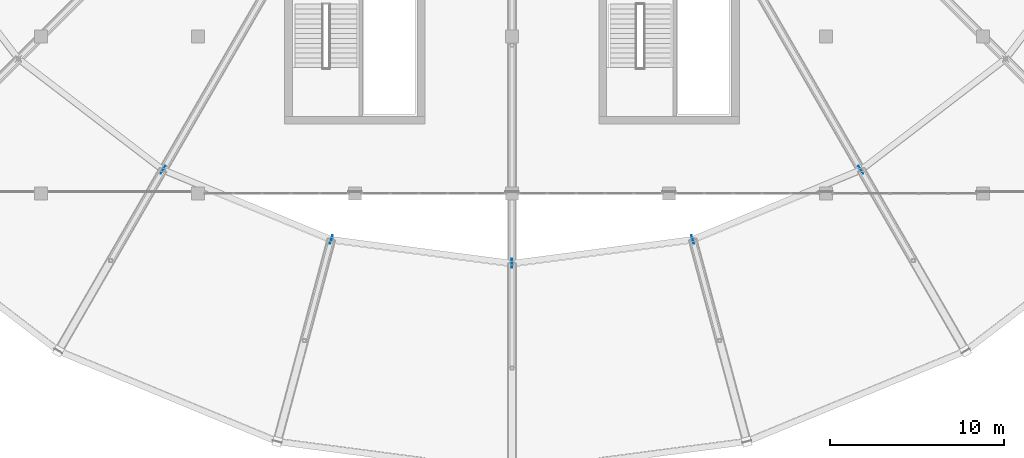
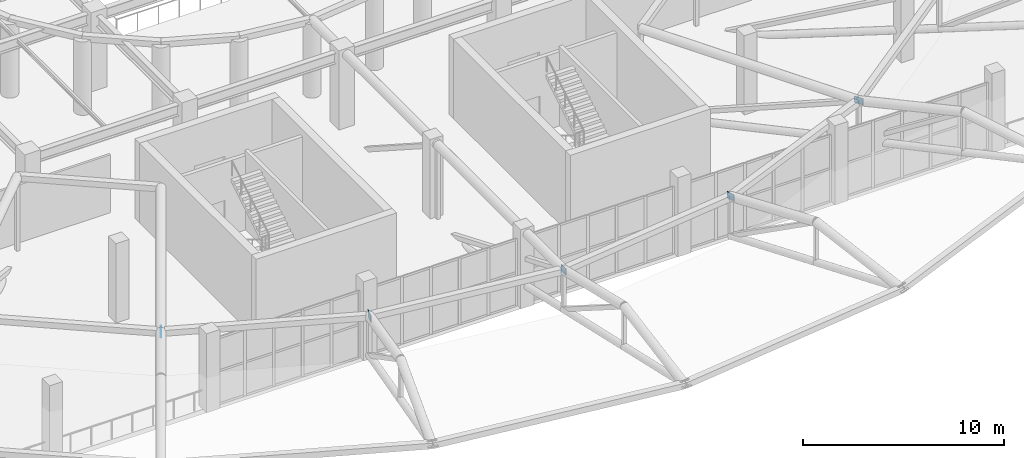
# One storey, part 126 of 167: 5 plates.
"""IFC4 building model written with IfcOpenShell, lengths in metres."""

import ifcopenshell
import ifcopenshell.guid

model = None  # the IFC model being written
_history = None  # IfcOwnerHistory: only IFC2X3 demands one
_inside = {}  # id of a spatial element -> (the spatial element, [elements in it])
_under = {}  # id of a project, library or spatial element -> (it, [spatial elements below it])
_declared = {}  # id of a project -> (the project, [libraries it declares])
_typed = {}  # id of a type object -> (the type object, [elements of that type])
_made_of = {}  # id of a material, layer set ... -> (it, [elements and type objects made of it])


def new_model(schema):
    """Start an empty IFC model of exactly this schema.

    Asked for "IFC4X3", IfcOpenShell would pick the latest addendum, in which some entities
    have other attributes; the version numbers below select the first issue.
    IFC2X3 requires an IfcOwnerHistory on every rooted entity: one is made here for all.
    """
    global model, _history
    if schema == "IFC4X3":
        model = ifcopenshell.file(schema_version=(4, 3, 0, 0))
    else:
        model = ifcopenshell.file(schema=schema)
    _inside.clear()
    _under.clear()
    _declared.clear()
    _typed.clear()
    _made_of.clear()
    _history = None
    if model.schema == "IFC2X3":
        org = make("IfcOrganization", Name="unknown")
        user = make(
            "IfcPersonAndOrganization",
            ThePerson=make("IfcPerson", FamilyName="unknown"),
            TheOrganization=org,
        )
        app = make(
            "IfcApplication",
            ApplicationDeveloper=org,
            Version="unknown",
            ApplicationFullName="unknown",
            ApplicationIdentifier="unknown",
        )
        _history = make(
            "IfcOwnerHistory",
            OwningUser=user,
            OwningApplication=app,
            ChangeAction="ADDED",
            CreationDate=0,
        )
    return model


def make(cls, **values):
    """One entity of the class cls with the attributes given. An attribute that is None is left unset."""
    return model.create_entity(
        cls, **{name: value for name, value in values.items() if value is not None}
    )


def rooted(cls, **values):
    """An entity with a GlobalId (a new one), such as an element, a storey or a relation."""
    return make(cls, GlobalId=ifcopenshell.guid.new(), OwnerHistory=_history, **values)


def si_unit(unit_type, name, prefix=None):
    """IfcSIUnit, for example si_unit("LENGTHUNIT", "METRE", prefix="MILLI")."""
    return make("IfcSIUnit", UnitType=unit_type, Prefix=prefix, Name=name)


def assignment(units):
    """IfcUnitAssignment: the units of a project."""
    return None if units is None else make("IfcUnitAssignment", Units=units)


def point(xyz):
    """IfcCartesianPoint."""
    return None if xyz is None else make("IfcCartesianPoint", Coordinates=xyz)


def direction(xyz):
    """IfcDirection."""
    return None if xyz is None else make("IfcDirection", DirectionRatios=xyz)


def frame(location, z_axis=None, x_axis=None):
    """IfcAxis2Placement3D, a coordinate frame: its origin and axes. An axis left out is left unset."""
    return make(
        "IfcAxis2Placement3D",
        Location=point(location),
        Axis=direction(z_axis),
        RefDirection=direction(x_axis),
    )


def frame_2d(location, x_axis=None):
    """IfcAxis2Placement2D, a coordinate frame in the plane: its origin and x axis."""
    return make(
        "IfcAxis2Placement2D", Location=point(location), RefDirection=direction(x_axis)
    )


def origin():
    """The frame at (0, 0, 0) with its axes left unset."""
    return frame((0.0, 0.0, 0.0))


def origin_2d():
    """The frame at (0, 0) in the plane with its x axis left unset."""
    return frame_2d((0.0, 0.0))


def place(relative_to, where):
    """IfcLocalPlacement: puts the frame where relative to a parent placement (None: the world)."""
    return make(
        "IfcLocalPlacement", PlacementRelTo=relative_to, RelativePlacement=where
    )


def context(
    kind, dimensions, precision=None, world=None, true_north=None, identifier=None
):
    """IfcGeometricRepresentationContext, for example the 3D "Model" context."""
    return make(
        "IfcGeometricRepresentationContext",
        ContextIdentifier=identifier,
        ContextType=kind,
        CoordinateSpaceDimension=dimensions,
        Precision=precision,
        WorldCoordinateSystem=world,
        TrueNorth=true_north,
    )


def subcontext(parent, identifier, kind, view, scale=None):
    """IfcGeometricRepresentationSubContext, for example "Body" below "Model"."""
    return make(
        "IfcGeometricRepresentationSubContext",
        ContextIdentifier=identifier,
        ContextType=kind,
        ParentContext=parent,
        TargetScale=scale,
        TargetView=view,
    )


def project(units=None, contexts=None):
    """IfcProject with its units and contexts."""
    return rooted(
        "IfcProject",
        Name="project",
        RepresentationContexts=contexts,
        UnitsInContext=assignment(units),
    )


def spatial(cls, under=None, at=None, **own):
    """A site, building, storey or space (cls), placed at a placement, below another one or the project."""
    s = rooted(cls, ObjectPlacement=at, **own)
    if under is not None:
        _under.setdefault(under.id(), (under, []))[1].append(s)
    return s


def profile(cls, at=None, kind="AREA", **sizes):
    """A parametric profile (cls). Its sizes go by their IFC names, for example OverallWidth=200.0."""
    return make(cls, ProfileType=kind, Position=at, **sizes)


def rectangle(**sizes):
    """IfcRectangleProfileDef."""
    return profile("IfcRectangleProfileDef", **sizes)


def extrude(swept, where, along, depth):
    """IfcExtrudedAreaSolid: the profile swept, set in the frame where, extruded along a direction by depth."""
    return make(
        "IfcExtrudedAreaSolid",
        SweptArea=swept,
        Position=where,
        ExtrudedDirection=direction(along),
        Depth=depth,
    )


def shape(context_of_items, identifier, shape_type, items):
    """IfcShapeRepresentation: the items that make up one representation, for example the "Body"."""
    return make(
        "IfcShapeRepresentation",
        ContextOfItems=context_of_items,
        RepresentationIdentifier=identifier,
        RepresentationType=shape_type,
        Items=items,
    )


def material(Name=None, Category=None):
    """IfcMaterial."""
    return make("IfcMaterial", Name=Name, Category=Category)


def layer(
    of_material, thickness, ventilated=None, Name=None, Category=None, Priority=None
):
    """IfcMaterialLayer: one layer of a wall or slab, of a material (None: an air gap)."""
    return make(
        "IfcMaterialLayer",
        Material=of_material,
        LayerThickness=thickness,
        IsVentilated=ventilated,
        Name=Name,
        Category=Category,
        Priority=Priority,
    )


def layer_set(layers, Name=None):
    """IfcMaterialLayerSet."""
    return make("IfcMaterialLayerSet", MaterialLayers=layers, LayerSetName=Name)


def made_of(thing, what):
    """Note that an element or type object is made of a material, layer set ...; save() writes the relation."""
    if what is not None:
        _made_of.setdefault(what.id(), (what, []))[1].append(thing)
    return thing


def type_object(cls, material=None, **own):
    """A type object (cls), such as IfcWallType, which elements share."""
    return made_of(rooted(cls, **own), material)


def element(
    cls,
    number,
    at=None,
    inside=None,
    cuts=None,
    type_object=None,
    material=None,
    context=None,
    identifier="Body",
    shape_type=None,
    held_by="IfcProductDefinitionShape",
    body=None,
    shapes=None,
    **own,
):
    """One element of the class cls, such as IfcWall. Its Tag is "e" and its number.

    at: its placement. inside: the storey or other place that contains it. cuts: it is an
    opening in that element (IfcRelVoidsElement). A single representation is given by context,
    identifier, shape_type and body (its items); several are given by shapes. held_by: the class
    of the entity that holds the representations. save() writes the other relations.
    """
    e = rooted(cls, Tag="e%d" % number, ObjectPlacement=at, **own)
    if body is not None:
        shapes = [shape(context, identifier, shape_type, body)]
    if shapes is not None:
        e.Representation = make(held_by, Representations=shapes)
    if inside is not None:
        _inside.setdefault(inside.id(), (inside, []))[1].append(e)
    if cuts is not None:
        rooted(
            "IfcRelVoidsElement", RelatingBuildingElement=cuts, RelatedOpeningElement=e
        )
    if type_object is not None:
        _typed.setdefault(type_object.id(), (type_object, []))[1].append(e)
    return made_of(e, material)


def aggregate(whole, parts):
    """IfcRelAggregates: a whole, such as a stair, and the parts it consists of."""
    return rooted("IfcRelAggregates", RelatingObject=whole, RelatedObjects=parts)


def save(model, path):
    """Write the relations noted so far, then the file.

    IfcRelAggregates (storeys below a building ...), IfcRelContainedInSpatialStructure (elements
    in a storey), IfcRelDefinesByType, IfcRelAssociatesMaterial and IfcRelDeclares: one each for
    every whole, place, type object, material and project.
    """
    for whole, parts in _under.values():
        aggregate(whole, parts)
    for where, things in _inside.values():
        rooted(
            "IfcRelContainedInSpatialStructure",
            RelatedElements=things,
            RelatingStructure=where,
        )
    for kind, things in _typed.values():
        rooted("IfcRelDefinesByType", RelatedObjects=things, RelatingType=kind)
    for what, things in _made_of.values():
        rooted("IfcRelAssociatesMaterial", RelatedObjects=things, RelatingMaterial=what)
    for by, libraries in _declared.values():
        rooted("IfcRelDeclares", RelatingContext=by, RelatedDefinitions=libraries)
    model.write(path)


model = new_model("IFC4")

# Units and contexts
model_context = context("Model", 3, precision=1e-05, world=origin(), true_north=direction((0.0, 1.0)))
body_context = subcontext(model_context, "Body", "Model", "MODEL_VIEW")
ifc_project = project(units=[si_unit("LENGTHUNIT", "METRE"), si_unit("AREAUNIT", "SQUARE_METRE"), si_unit("VOLUMEUNIT", "CUBIC_METRE"), si_unit("PLANEANGLEUNIT", "RADIAN"), si_unit("MASSUNIT", "GRAM", prefix="KILO")], contexts=[model_context])

# Site, building, storey
site_placement = place(None, origin())
site = spatial("IfcSite", under=ifc_project, at=site_placement, CompositionType="ELEMENT")
building_placement = place(site_placement, origin())
building = spatial("IfcBuilding", under=site, at=building_placement, Name="Dornveld Trade and Exhibition Forum", CompositionType="ELEMENT")
storey_placement = place(building_placement, frame((0.0, 0.0, 16.800048828125)))
storey = spatial("IfcBuildingStorey", under=building, at=storey_placement, Name="L03", CompositionType="ELEMENT", Elevation=16.800048828125)

# Plates
ifc_material_1 = material(Name="Steel S355J2", Category="steel")
ifc_layer_1 = layer(ifc_material_1, 0.030029296875)
ifc_layer_set_1 = layer_set([ifc_layer_1], Name="Steel S355J2")
plate_type_1 = type_object("IfcPlateType", Name="PL-NODE-01", PredefinedType="USERDEFINED", material=ifc_layer_set_1)
plate_1_placement = place(storey_placement, frame((97.0, 46.35888671875, 4.25), z_axis=(0.0, 0.0, 1.0), x_axis=(-0.5, -0.866025403784, 0.0)))
element("IfcPlate", 1, at=plate_1_placement, inside=storey, type_object=plate_type_1, Name="Floating disc core-ring gusset 17", ObjectType="GUSSET", PredefinedType="USERDEFINED", context=body_context, shape_type="SweptSolid", body=[
    extrude(rectangle(XDim=0.52001953125, YDim=0.028076171875, at=origin_2d()), origin(), (0.0, 0.0, 1.0), 0.39990234375),
])
ifc_material_2 = material(Name="Steel S355J2", Category="steel")
ifc_layer_2 = layer(ifc_material_2, 0.02587890625)
ifc_layer_set_2 = layer_set([ifc_layer_2], Name="Steel S355J2")
plate_type_2 = type_object("IfcPlateType", Name="PL-NODE-02", PredefinedType="USERDEFINED", material=ifc_layer_set_2)
plate_2_placement = place(storey_placement, frame((106.647216796875, 42.363037109375, 4.25), z_axis=(0.0, 0.0, 1.0), x_axis=(-0.258819045103, -0.965925826289, 0.0)))
element("IfcPlate", 2, at=plate_2_placement, inside=storey, type_object=plate_type_2, Name="Floating disc core-ring gusset 18", ObjectType="GUSSET", PredefinedType="USERDEFINED", context=body_context, shape_type="SweptSolid", body=[
    extrude(rectangle(XDim=0.52001953125, YDim=0.028076171875, at=origin_2d()), origin(), (0.0, 0.0, 1.0), 0.39990234375),
])
ifc_material_3 = material(Name="Steel S355J2", Category="steel")
ifc_layer_3 = layer(ifc_material_3, 0.02392578125)
ifc_layer_set_3 = layer_set([ifc_layer_3], Name="Steel S355J2")
plate_type_3 = type_object("IfcPlateType", Name="PL-NODE-03", PredefinedType="USERDEFINED", material=ifc_layer_set_3)
plate_3_placement = place(storey_placement, frame((117.0, 41.0, 4.25), z_axis=(0.0, 0.0, 1.0), x_axis=(0.0, -1.0, 0.0)))
element("IfcPlate", 3, at=plate_3_placement, inside=storey, type_object=plate_type_3, Name="Floating disc core-ring gusset 19", ObjectType="GUSSET", PredefinedType="USERDEFINED", context=body_context, shape_type="SweptSolid", body=[
    extrude(rectangle(XDim=0.52001953125, YDim=0.028076171875, at=origin_2d()), origin(), (0.0, 0.0, 1.0), 0.39990234375),
])
ifc_material_4 = material(Name="Steel S355J2", Category="steel")
ifc_layer_4 = layer(ifc_material_4, 0.02197265625)
ifc_layer_set_4 = layer_set([ifc_layer_4], Name="Steel S355J2")
plate_type_4 = type_object("IfcPlateType", Name="PL-NODE-04", PredefinedType="USERDEFINED", material=ifc_layer_set_4)
plate_4_placement = place(storey_placement, frame((127.352783203125, 42.363037109375, 4.25), z_axis=(0.0, 0.0, 1.0), x_axis=(0.258819045103, -0.965925826289, 0.0)))
element("IfcPlate", 4, at=plate_4_placement, inside=storey, type_object=plate_type_4, Name="Floating disc core-ring gusset 20", ObjectType="GUSSET", PredefinedType="USERDEFINED", context=body_context, shape_type="SweptSolid", body=[
    extrude(rectangle(XDim=0.52001953125, YDim=0.028076171875, at=origin_2d()), origin(), (0.0, 0.0, 1.0), 0.39990234375),
])
ifc_material_5 = material(Name="Steel S355J2", Category="steel")
ifc_layer_5 = layer(ifc_material_5, 0.02001953125)
ifc_layer_set_5 = layer_set([ifc_layer_5], Name="Steel S355J2")
plate_type_5 = type_object("IfcPlateType", Name="PL-NODE-05", PredefinedType="USERDEFINED", material=ifc_layer_set_5)
plate_5_placement = place(storey_placement, frame((137.0, 46.35888671875, 4.25), z_axis=(0.0, 0.0, 1.0), x_axis=(0.5, -0.866025403784, 0.0)))
element("IfcPlate", 5, at=plate_5_placement, inside=storey, type_object=plate_type_5, Name="Floating disc core-ring gusset 21", ObjectType="GUSSET", PredefinedType="USERDEFINED", context=body_context, shape_type="SweptSolid", body=[
    extrude(rectangle(XDim=0.52001953125, YDim=0.028076171875, at=origin_2d()), origin(), (0.0, 0.0, 1.0), 0.39990234375),
])

save(model, "model.ifc")
